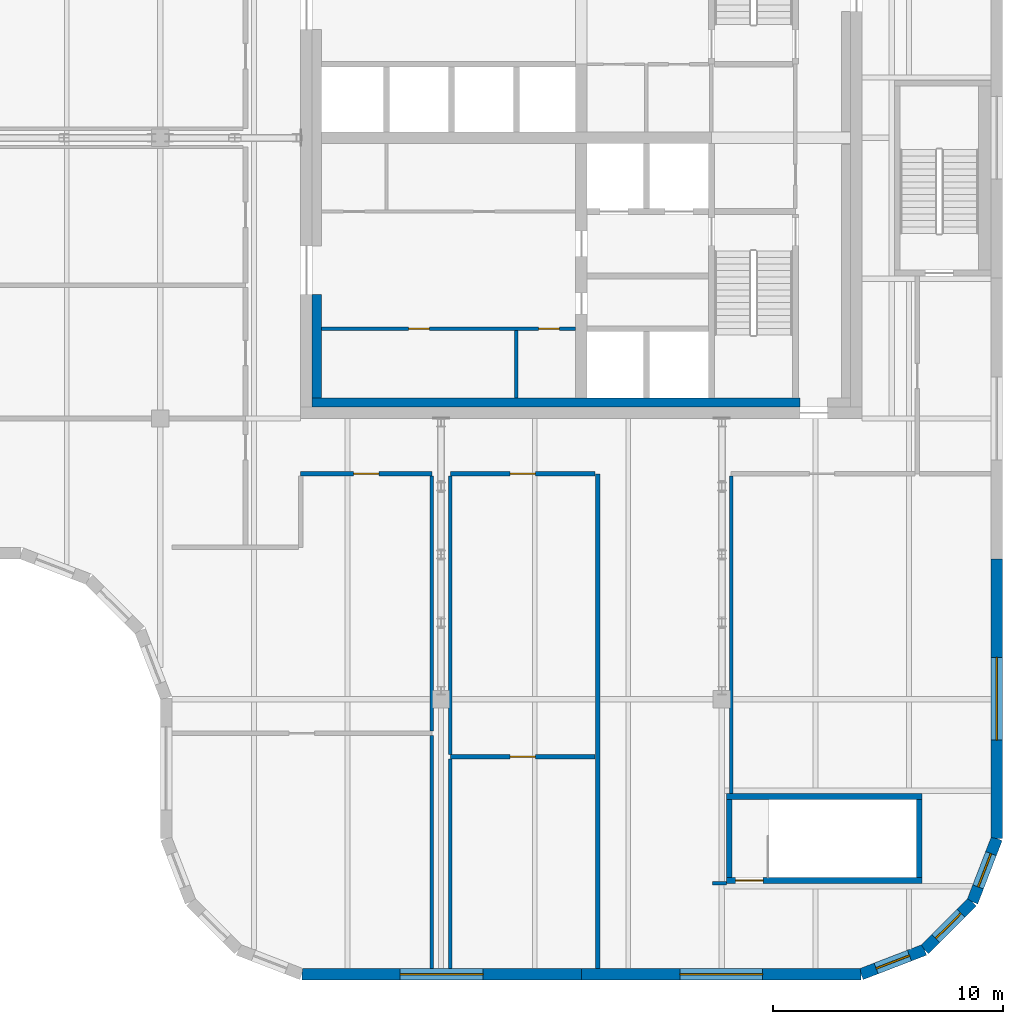
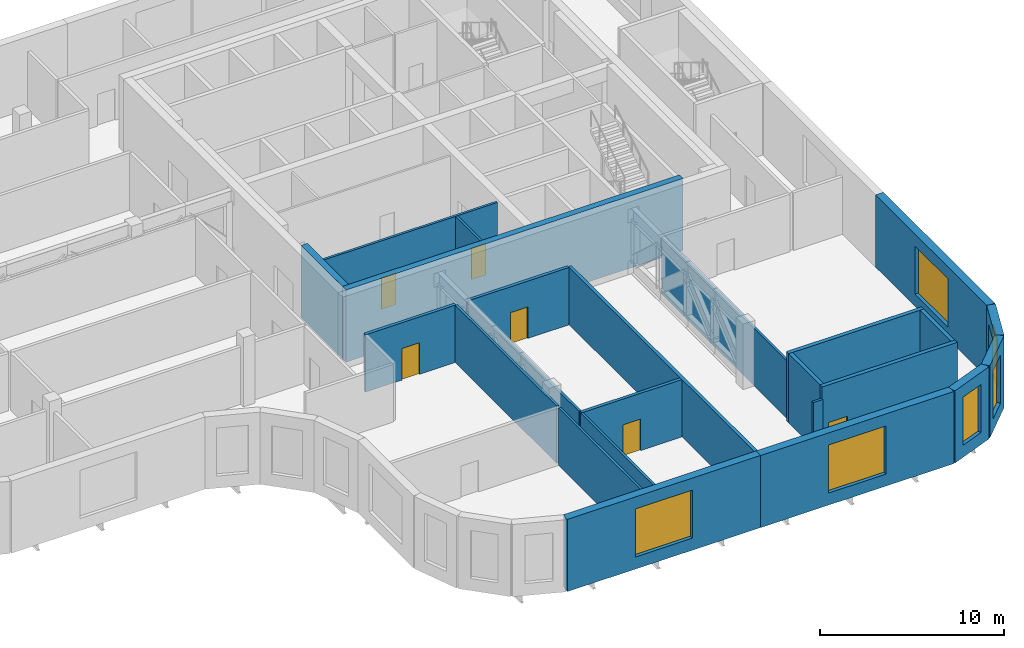
# One storey, part 6 of 12: 24 walls, 6 doors, 6 windows, 12 openings.
"""IFC4 building model written with IfcOpenShell, lengths in metres."""

from ifc_helpers import new_model, si_unit, direction, frame, frame_2d, origin, place, context, subcontext, project, spatial, polyline, rectangle, outline, extrude, faceted_brep, source, transform, mapped, material, layer, layer_set, type_object, element, fill, save


model = new_model("IFC4")

# Units and contexts
model_context = context("Model", 3, precision=1e-05, world=origin(), true_north=direction((0.0, 1.0)))
body_context = subcontext(model_context, "Body", "Model", "MODEL_VIEW")
ifc_project = project(units=[si_unit("LENGTHUNIT", "METRE"), si_unit("AREAUNIT", "SQUARE_METRE"), si_unit("VOLUMEUNIT", "CUBIC_METRE"), si_unit("PLANEANGLEUNIT", "RADIAN"), si_unit("MASSUNIT", "GRAM", prefix="KILO")], contexts=[model_context])

# Site, building, storey
site_placement = place(None, origin())
site = spatial("IfcSite", under=ifc_project, at=site_placement, CompositionType="ELEMENT")
building_placement = place(site_placement, origin())
building = spatial("IfcBuilding", under=site, at=building_placement, Name="Tessera Gate Towers", CompositionType="ELEMENT")
storey_placement = place(building_placement, frame((0.0, 0.0, 232.10009765625)))
storey = spatial("IfcBuildingStorey", under=building, at=storey_placement, Name="L58", CompositionType="ELEMENT", Elevation=232.10009765625)

# Walls
ifc_material_1 = material(Name="Gypsum board on steel studs, mineral wool", Category="steel")
ifc_layer_1 = layer(ifc_material_1, 0.14990234375)
ifc_layer_set_1 = layer_set([ifc_layer_1], Name="CHASE WALL 150")
wall_type_1 = type_object("IfcWallType", Name="CHASE WALL 150", PredefinedType="PARTITIONING", material=ifc_layer_set_1)
wall_1_placement = place(storey_placement, frame((36.199951171875, 0.5, 0.0), z_axis=(0.0, 0.0, 1.0), x_axis=(0.0, 1.0, 0.0)))
element("IfcWall", 1, at=wall_1_placement, inside=storey, type_object=wall_type_1, Name="T1-L58-PW-001", PredefinedType="PARTITIONING", context=body_context, shape_type="SweptSolid", body=[
    extrude(rectangle(XDim=10.1240234375, YDim=0.14990234375, at=frame_2d((5.06201171875, 0.0))), origin(), (0.0, 0.0, 1.0), 3.81689453125),
])
wall_2_placement = place(storey_placement, frame((37.0, 0.5, 0.0), z_axis=(0.0, 0.0, 1.0), x_axis=(0.0, 1.0, 0.0)))
element("IfcWall", 2, at=wall_2_placement, inside=storey, type_object=wall_type_1, Name="T1-L58-PW-002", PredefinedType="PARTITIONING", context=body_context, shape_type="SweptSolid", body=[
    extrude(rectangle(XDim=9.09912109375, YDim=0.14990234375, at=frame_2d((4.549560546875, 0.0))), origin(), (0.0, 0.0, 1.0), 3.81689453125),
])
wall_3_placement = place(storey_placement, frame((48.39990234375, 4.199951171875, 0.0), z_axis=(0.0, 0.0, 1.0), x_axis=(1.0, 0.0, 0.0)))
element("IfcWall", 3, at=wall_3_placement, inside=storey, type_object=wall_type_1, Name="T1-L58-PW-004", PredefinedType="PARTITIONING", context=body_context, shape_type="SweptSolid", body=[
    extrude(rectangle(XDim=0.60009765625, YDim=0.14990234375, at=frame_2d((0.300048828125, 0.0))), origin(), (0.0, 0.0, 1.0), 3.81689453125),
])
wall_4_placement = place(storey_placement, frame((49.199951171875, 8.10009765625, 0.0), z_axis=(0.0, 0.0, 1.0), x_axis=(0.0, 1.0, 0.0)))
element("IfcWall", 4, at=wall_4_placement, inside=storey, type_object=wall_type_1, Name="T1-L58-PW-005", PredefinedType="PARTITIONING", context=body_context, shape_type="SweptSolid", body=[
    extrude(rectangle(XDim=13.798828125, YDim=0.14990234375, at=frame_2d((6.8994140625, 0.0))), origin(), (0.0, 0.0, 1.0), 3.81689453125),
])
wall_5_placement = place(storey_placement, frame((37.0, 9.801025390625, 0.0), z_axis=(0.0, 0.0, 1.0), x_axis=(0.0, 1.0, 0.0)))
element("IfcWall", 5, at=wall_5_placement, inside=storey, type_object=wall_type_1, Name="T1-L58-PW-007", PredefinedType="PARTITIONING", context=body_context, shape_type="SweptSolid", body=[
    extrude(rectangle(XDim=12.097900390625, YDim=0.14990234375, at=frame_2d((6.048828125, 0.0))), origin(), (0.0, 0.0, 1.0), 3.81689453125),
])
wall_6_placement = place(storey_placement, frame((36.199951171875, 10.825927734375, 0.0), z_axis=(0.0, 0.0, 1.0), x_axis=(0.0, 1.0, 0.0)))
element("IfcWall", 6, at=wall_6_placement, inside=storey, type_object=wall_type_1, Name="T1-L58-PW-009", PredefinedType="PARTITIONING", context=body_context, shape_type="SweptSolid", body=[
    extrude(rectangle(XDim=11.072998046875, YDim=0.14990234375, at=frame_2d((5.53662109375, 0.0))), origin(), (0.0, 0.0, 1.0), 3.81689453125),
])

# Wall, opening, door
ifc_material_2 = material(Name="Concrete C40/50", Category="concrete")
ifc_layer_2 = layer(ifc_material_2, 0.25)
ifc_layer_set_2 = layer_set([ifc_layer_2], Name="CORE ENCLOSURE WALL 250")
wall_type_2 = type_object("IfcWallType", Name="CORE ENCLOSURE WALL 250", PredefinedType="SOLIDWALL", material=ifc_layer_set_2)
wall_7_placement = place(storey_placement, frame((57.5, 4.324951171875, 0.0), z_axis=(0.0, 0.0, 1.0), x_axis=(-1.0, 0.0, 0.0)))
wall_7 = element("IfcWall", 7, at=wall_7_placement, inside=storey, type_object=wall_type_2, Name="L58 ST4 enclosure wall", PredefinedType="SOLIDWALL", context=body_context, shape_type="SweptSolid", body=[
    extrude(rectangle(XDim=8.5, YDim=0.25, at=frame_2d((4.25, 0.0))), origin(), (0.0, 0.0, 1.0), 4.599853515625),
])
shared_shape_1 = source(origin(), body_context, "Body", "SweptSolid", [
    extrude(rectangle(XDim=1.199951171875, YDim=2.10009765625, at=frame_2d((0.60009765625, 1.050048828125))), frame((0.0, 0.135009765625, 0.0), z_axis=(0.0, -1.0, 0.0), x_axis=(1.0, 0.0, 0.0)), (0.0, 0.0, 1.0), 0.27001953125),
])
opening_1_placement = place(wall_7_placement, frame((6.89990234375, 0.0, 0.0)))
opening_1 = element("IfcOpeningElement", 8, at=opening_1_placement, cuts=wall_7, Name="Opening SD-ST4-1", PredefinedType="OPENING", context=body_context, shape_type="MappedRepresentation", body=[
    mapped(shared_shape_1, transform((0.0, 0.0, 0.0), scale=1.0)),
])
ifc_material_3 = material(Name="Hollow steel fire door", Category="steel")
door_type_1 = type_object("IfcDoorType", Name="CORE DOOR SD 1200x2100", OperationType="NOTDEFINED", PredefinedType="DOOR", material=ifc_material_3)
shared_shape_2 = source(origin(), body_context, "Body", "SweptSolid", [
    extrude(rectangle(XDim=1.199951171875, YDim=2.10009765625, at=frame_2d((0.60009765625, 1.050048828125))), frame((0.0, 0.02490234375, 0.0), z_axis=(0.0, -1.0, 0.0), x_axis=(1.0, 0.0, 0.0)), (0.0, 0.0, 1.0), 0.050048828125),
])
door_1_placement = place(opening_1_placement, origin())
door_1 = element("IfcDoor", 9, at=door_1_placement, inside=storey, type_object=door_type_1, Name="Stair door", OperationType="SINGLE_SWING_RIGHT", OverallHeight=2.10009765625, OverallWidth=1.199951171875, PredefinedType="DOOR", context=body_context, shape_type="MappedRepresentation", body=[
    mapped(shared_shape_2, transform((0.0, 0.0, 0.0), scale=1.0)),
])
fill(opening_1, door_1)

# Walls
wall_8_placement = place(storey_placement, frame((49.125, 4.449951171875, 0.0), z_axis=(0.0, 0.0, 1.0), x_axis=(0.0, 1.0, 0.0)))
element("IfcWall", 10, at=wall_8_placement, inside=storey, type_object=wall_type_2, Name="L58 ST4 enclosure wall", PredefinedType="SOLIDWALL", context=body_context, shape_type="SweptSolid", body=[
    extrude(rectangle(XDim=3.400146484375, YDim=0.25, at=frame_2d((1.7001953125, 0.0))), origin(), (0.0, 0.0, 1.0), 4.599853515625),
])
wall_9_placement = place(storey_placement, frame((49.0, 7.97509765625, 0.0), z_axis=(0.0, 0.0, 1.0), x_axis=(1.0, 0.0, 0.0)))
element("IfcWall", 11, at=wall_9_placement, inside=storey, type_object=wall_type_2, Name="L58 ST4 enclosure wall", PredefinedType="SOLIDWALL", context=body_context, shape_type="SweptSolid", body=[
    extrude(rectangle(XDim=8.5, YDim=0.25, at=frame_2d((4.25, 0.0))), origin(), (0.0, 0.0, 1.0), 4.599853515625),
])
wall_10_placement = place(storey_placement, frame((57.375, 7.85009765625, 0.0), z_axis=(0.0, 0.0, 1.0), x_axis=(0.0, -1.0, 0.0)))
element("IfcWall", 12, at=wall_10_placement, inside=storey, type_object=wall_type_2, Name="L58 ST4 enclosure wall", PredefinedType="SOLIDWALL", context=body_context, shape_type="SweptSolid", body=[
    extrude(rectangle(XDim=3.400146484375, YDim=0.25, at=frame_2d((1.7001953125, 0.0))), origin(), (0.0, 0.0, 1.0), 4.599853515625),
])
ifc_material_4 = material(Name="Concrete C50/60", Category="concrete")
ifc_layer_3 = layer(ifc_material_4, 0.39990234375)
ifc_layer_set_3 = layer_set([ifc_layer_3], Name="CORE WALL THICKENING 400")
wall_type_3 = type_object("IfcWallType", Name="CORE WALL THICKENING 400", PredefinedType="SOLIDWALL", material=ifc_layer_set_3)
wall_11_placement = place(storey_placement, frame((31.0, 25.10009765625, 0.0), z_axis=(0.0, 0.0, 1.0), x_axis=(1.0, 0.0, 0.0)))
element("IfcWall", 13, at=wall_11_placement, inside=storey, type_object=wall_type_3, Name="Core wall thickening S L58", PredefinedType="SOLIDWALL", context=body_context, shape_type="SweptSolid", body=[
    extrude(rectangle(XDim=21.199951171875, YDim=0.39990234375, at=frame_2d((10.60009765625, 0.0))), origin(), (0.0, 0.0, 1.0), 4.7998046875),
])
wall_12_placement = place(storey_placement, frame((31.199951171875, 25.300048828125, 0.0), z_axis=(0.0, 0.0, 1.0), x_axis=(0.0, 1.0, 0.0)))
element("IfcWall", 14, at=wall_12_placement, inside=storey, type_object=wall_type_3, Name="Core wall thickening W L58", PredefinedType="SOLIDWALL", context=body_context, shape_type="SweptSolid", body=[
    extrude(rectangle(XDim=4.5, YDim=0.39990234375, at=frame_2d((2.25, 0.0))), origin(), (0.0, 0.0, 1.0), 4.7998046875),
])
ifc_material_5 = material(Name="Concrete masonry unit", Category="masonry")
ifc_layer_4 = layer(ifc_material_5, 0.199951171875)
ifc_layer_set_4 = layer_set([ifc_layer_4], Name="PLANT WALL 200")
wall_type_4 = type_object("IfcWallType", Name="PLANT WALL 200", PredefinedType="PARTITIONING", material=ifc_layer_set_4)
wall_13_placement = place(storey_placement, frame((43.39990234375, 0.5, 0.0), z_axis=(0.0, 0.0, 1.0), x_axis=(0.0, 1.0, 0.0)))
element("IfcWall", 15, at=wall_13_placement, inside=storey, type_object=wall_type_4, Name="T1-L58-PW-003", PredefinedType="PARTITIONING", context=body_context, shape_type="SweptSolid", body=[
    extrude(rectangle(XDim=21.5, YDim=0.199951171875, at=frame_2d((10.75, 0.0))), origin(), (0.0, 0.0, 1.0), 3.81689453125),
])

# Wall, opening, door
wall_14_placement = place(storey_placement, frame((43.299072265625, 9.699951171875, 0.0), z_axis=(0.0, 0.0, 1.0), x_axis=(-1.0, 0.0, 0.0)))
wall_14 = element("IfcWall", 16, at=wall_14_placement, inside=storey, type_object=wall_type_4, Name="T1-L58-PW-006", PredefinedType="PARTITIONING", context=body_context, shape_type="SweptSolid", body=[
    extrude(rectangle(XDim=6.299072265625, YDim=0.199951171875, at=frame_2d((3.1494140625, 0.0))), origin(), (0.0, 0.0, 1.0), 3.81689453125),
])
shared_shape_3 = source(origin(), body_context, "Body", "SweptSolid", [
    extrude(rectangle(XDim=1.10009765625, YDim=2.10009765625, at=frame_2d((0.550048828125, 1.050048828125))), frame((0.0, 0.10986328125, 0.0), z_axis=(0.0, -1.0, 0.0), x_axis=(1.0, 0.0, 0.0)), (0.0, 0.0, 1.0), 0.219970703125),
])
opening_2_placement = place(wall_14_placement, frame((2.59912109375, 0.0, 0.0)))
opening_2 = element("IfcOpeningElement", 17, at=opening_2_placement, cuts=wall_14, Name="Opening D5110FD90-A32-14", PredefinedType="OPENING", context=body_context, shape_type="MappedRepresentation", body=[
    mapped(shared_shape_3, transform((0.0, 0.0, 0.0), scale=1.0)),
])
ifc_material_6 = material(Name="Timber door leaf in steel frame", Category="steel")
door_type_2 = type_object("IfcDoorType", Name="PLANT DOOR 1100 FD90", OperationType="NOTDEFINED", PredefinedType="DOOR", material=ifc_material_6)
shared_shape_4 = source(origin(), body_context, "Body", "SweptSolid", [
    extrude(rectangle(XDim=1.10009765625, YDim=2.10009765625, at=frame_2d((0.550048828125, 1.050048828125))), frame((0.0, 0.02490234375, 0.0), z_axis=(0.0, -1.0, 0.0), x_axis=(1.0, 0.0, 0.0)), (0.0, 0.0, 1.0), 0.050048828125),
])
door_2_placement = place(opening_2_placement, origin())
door_2 = element("IfcDoor", 18, at=door_2_placement, inside=storey, type_object=door_type_2, Name="T1-L58-PD-014", OperationType="SINGLE_SWING_RIGHT", OverallHeight=2.10009765625, OverallWidth=1.10009765625, PredefinedType="DOOR", context=body_context, shape_type="MappedRepresentation", body=[
    mapped(shared_shape_4, transform((0.0, 0.0, 0.0), scale=1.0)),
])
fill(opening_2, door_2)

wall_15_placement = place(storey_placement, frame((36.199951171875, 22.0, 0.0), z_axis=(0.0, 0.0, 1.0), x_axis=(-1.0, 0.0, 0.0)))
wall_15 = element("IfcWall", 19, at=wall_15_placement, inside=storey, type_object=wall_type_4, Name="T1-L58-PW-014", PredefinedType="PARTITIONING", context=body_context, shape_type="SweptSolid", body=[
    extrude(rectangle(XDim=5.699951171875, YDim=0.199951171875, at=frame_2d((2.85009765625, 0.0))), origin(), (0.0, 0.0, 1.0), 3.81689453125),
])
opening_3_placement = place(wall_15_placement, frame((2.300048828125, 0.0, 0.0)))
opening_3 = element("IfcOpeningElement", 20, at=opening_3_placement, cuts=wall_15, Name="Opening D5110FD90-A32-06", PredefinedType="OPENING", context=body_context, shape_type="MappedRepresentation", body=[
    mapped(shared_shape_3, transform((0.0, 0.0, 0.0), scale=1.0)),
])
door_3_placement = place(opening_3_placement, origin())
door_3 = element("IfcDoor", 21, at=door_3_placement, inside=storey, type_object=door_type_2, Name="T1-L58-PD-006", OperationType="SINGLE_SWING_RIGHT", OverallHeight=2.10009765625, OverallWidth=1.10009765625, PredefinedType="DOOR", context=body_context, shape_type="MappedRepresentation", body=[
    mapped(shared_shape_4, transform((0.0, 0.0, 0.0), scale=1.0)),
])
fill(opening_3, door_3)

wall_16_placement = place(storey_placement, frame((43.299072265625, 22.0, 0.0), z_axis=(0.0, 0.0, 1.0), x_axis=(-1.0, 0.0, 0.0)))
wall_16 = element("IfcWall", 22, at=wall_16_placement, inside=storey, type_object=wall_type_4, Name="T1-L58-PW-015", PredefinedType="PARTITIONING", context=body_context, shape_type="SweptSolid", body=[
    extrude(rectangle(XDim=6.299072265625, YDim=0.199951171875, at=frame_2d((3.1494140625, 0.0))), origin(), (0.0, 0.0, 1.0), 3.81689453125),
])
opening_4_placement = place(wall_16_placement, frame((2.59912109375, 0.0, 0.0)))
opening_4 = element("IfcOpeningElement", 23, at=opening_4_placement, cuts=wall_16, Name="Opening D5110FD90-A32-13", PredefinedType="OPENING", context=body_context, shape_type="MappedRepresentation", body=[
    mapped(shared_shape_3, transform((0.0, 0.0, 0.0), scale=1.0)),
])
door_4_placement = place(opening_4_placement, origin())
door_4 = element("IfcDoor", 24, at=door_4_placement, inside=storey, type_object=door_type_2, Name="T1-L58-PD-013", OperationType="SINGLE_SWING_RIGHT", OverallHeight=2.10009765625, OverallWidth=1.10009765625, PredefinedType="DOOR", context=body_context, shape_type="MappedRepresentation", body=[
    mapped(shared_shape_4, transform((0.0, 0.0, 0.0), scale=1.0)),
])
fill(opening_4, door_4)

# Wall, openings, doors
ifc_material_7 = material(Name="Gypsum board on steel studs", Category="steel")
ifc_layer_5 = layer(ifc_material_7, 0.14990234375)
ifc_layer_set_5 = layer_set([ifc_layer_5], Name="SERVICE ROOM WALL 150")
wall_type_5 = type_object("IfcWallType", Name="SERVICE ROOM WALL 150", PredefinedType="PARTITIONING", material=ifc_layer_set_5)
wall_17_placement = place(storey_placement, frame((42.449951171875, 28.300048828125, 0.0), z_axis=(0.0, 0.0, 1.0), x_axis=(-1.0, 0.0, 0.0)))
wall_17 = element("IfcWall", 25, at=wall_17_placement, inside=storey, type_object=wall_type_5, Name="L58 service room wall", PredefinedType="PARTITIONING", context=body_context, shape_type="SweptSolid", body=[
    extrude(rectangle(XDim=11.050048828125, YDim=0.14990234375, at=frame_2d((5.52490234375, 0.0))), origin(), (0.0, 0.0, 1.0), 4.599853515625),
])
shared_shape_5 = source(origin(), body_context, "Body", "SweptSolid", [
    extrude(rectangle(XDim=0.89990234375, YDim=2.10009765625, at=frame_2d((0.449951171875, 1.050048828125))), frame((0.0, 0.0849609375, 0.0), z_axis=(0.0, -1.0, 0.0), x_axis=(1.0, 0.0, 0.0)), (0.0, 0.0, 1.0), 0.169921875),
])
opening_5_placement = place(wall_17_placement, frame((6.362548828125, 0.0, 0.0)))
opening_5 = element("IfcOpeningElement", 26, at=opening_5_placement, cuts=wall_17, Name="Opening RD-T1-35-07", PredefinedType="OPENING", context=body_context, shape_type="MappedRepresentation", body=[
    mapped(shared_shape_5, transform((0.0, 0.0, 0.0), scale=1.0)),
])
opening_6_placement = place(wall_17_placement, frame((0.71240234375, 0.0, 0.0)))
opening_6 = element("IfcOpeningElement", 27, at=opening_6_placement, cuts=wall_17, Name="Opening RD-T1-35-08", PredefinedType="OPENING", context=body_context, shape_type="MappedRepresentation", body=[
    mapped(shared_shape_5, transform((0.0, 0.0, 0.0), scale=1.0)),
])
ifc_material_8 = material(Name="Hollow steel fire door", Category="steel")
door_type_3 = type_object("IfcDoorType", Name="CORE DOOR RD 900x2100", OperationType="NOTDEFINED", PredefinedType="DOOR", material=ifc_material_8)
shared_shape_6 = source(origin(), body_context, "Body", "SweptSolid", [
    extrude(rectangle(XDim=0.89990234375, YDim=2.10009765625, at=frame_2d((0.449951171875, 1.050048828125))), frame((0.0, 0.02490234375, 0.0), z_axis=(0.0, -1.0, 0.0), x_axis=(1.0, 0.0, 0.0)), (0.0, 0.0, 1.0), 0.050048828125),
])
door_5_placement = place(opening_5_placement, origin())
door_5 = element("IfcDoor", 28, at=door_5_placement, inside=storey, type_object=door_type_3, Name="Core room door", OperationType="SINGLE_SWING_RIGHT", OverallHeight=2.10009765625, OverallWidth=0.89990234375, PredefinedType="DOOR", context=body_context, shape_type="MappedRepresentation", body=[
    mapped(shared_shape_6, transform((0.0, 0.0, 0.0), scale=1.0)),
])
fill(opening_5, door_5)
door_6_placement = place(opening_6_placement, origin())
door_6 = element("IfcDoor", 29, at=door_6_placement, inside=storey, type_object=door_type_3, Name="Core room door", OperationType="SINGLE_SWING_LEFT", OverallHeight=2.10009765625, OverallWidth=0.89990234375, PredefinedType="DOOR", context=body_context, shape_type="MappedRepresentation", body=[
    mapped(shared_shape_6, transform((0.0, 0.0, 0.0), scale=1.0)),
])
fill(opening_6, door_6)

# Wall
wall_18_placement = place(storey_placement, frame((39.875, 25.300048828125, 0.0), z_axis=(0.0, 0.0, 1.0), x_axis=(0.0, 1.0, 0.0)))
element("IfcWall", 30, at=wall_18_placement, inside=storey, type_object=wall_type_5, Name="L58 service room wall", PredefinedType="PARTITIONING", context=body_context, shape_type="SweptSolid", body=[
    extrude(rectangle(XDim=2.925048828125, YDim=0.14990234375, at=frame_2d((1.46240234375, 0.0))), origin(), (0.0, 0.0, 1.0), 4.599853515625),
])

# Wall, opening, window
ifc_material_9 = material(Name="Precast concrete C60/75 white", Category="concrete")
ifc_layer_6 = layer(ifc_material_9, 0.5)
ifc_layer_set_6 = layer_set([ifc_layer_6], Name="RB1 ring band panel")
wall_type_6 = type_object("IfcWallType", Name="RB1 ring band panel", PredefinedType="SOLIDWALL", material=ifc_layer_set_6)
shared_shape_7 = source(origin(), body_context, "Body", "Brep", [
    faceted_brep([(0.0, -0.25, 0.0), (12.153564453125, -0.25, 0.0), (12.153564453125, -0.25, 4.7998046875), (0.0, -0.25, 4.7998046875), (0.046630859375, 0.25, 4.7998046875), (12.153564453125, 0.25, 4.7998046875), (12.153564453125, 0.25, 0.0), (0.046630859375, 0.25, 0.0), (0.0, 0.0, 0.0), (0.0, 0.0, 4.7998046875)], [[[0, 1, 2, 3]], [[4, 5, 6, 7]], [[7, 6, 1, 0, 8]], [[5, 4, 9, 3, 2]], [[8, 0, 3, 9]], [[7, 8, 9, 4]], [[1, 6, 5, 2]]]),
])
wall_19_placement = place(storey_placement, frame((30.546630859375, 0.25, 0.0), z_axis=(0.0, 0.0, 1.0), x_axis=(1.0, 0.0, 0.0)))
wall_19 = element("IfcWall", 31, at=wall_19_placement, inside=storey, type_object=wall_type_6, Name="Ring band panel T1 RB1-0065", PredefinedType="SOLIDWALL", context=body_context, shape_type="MappedRepresentation", body=[
    mapped(shared_shape_7, transform((0.0, 0.0, 0.0), scale=1.0)),
])
shared_shape_8 = source(origin(), body_context, "Body", "SweptSolid", [
    extrude(outline(polyline([(4.276611328125, 0.7998046875), (7.876708984375, 0.7998046875), (7.876708984375, 4.0), (4.276611328125, 4.0), (4.276611328125, 0.7998046875)])), frame((0.0, 0.260009765625, 0.0), z_axis=(0.0, -1.0, 0.0), x_axis=(1.0, 0.0, 0.0)), (0.0, 0.0, 1.0), 0.52001953125),
])
opening_7_placement = place(wall_19_placement, origin())
opening_7 = element("IfcOpeningElement", 32, at=opening_7_placement, cuts=wall_19, Name="Opening T1-WN-LV1-0065", PredefinedType="OPENING", context=body_context, shape_type="MappedRepresentation", body=[
    mapped(shared_shape_8, transform((0.0, 0.0, 0.0), scale=1.0)),
])
ifc_material_10 = material(Name="Aluminium louvre", Category="aluminium")
ifc_layer_7 = layer(ifc_material_10, 0.06005859375)
ifc_layer_set_7 = layer_set([ifc_layer_7], Name="LV1 louvre")
window_type = type_object("IfcWindowType", Name="LV1 louvre", PartitioningType="USERDEFINED", PredefinedType="WINDOW", material=ifc_layer_set_7)
shared_shape_9 = source(origin(), body_context, "Body", "SweptSolid", [
    extrude(outline(polyline([(4.276611328125, 0.7998046875), (7.876708984375, 0.7998046875), (7.876708984375, 4.0), (4.276611328125, 4.0), (4.276611328125, 0.7998046875)])), frame((0.0, 0.030029296875, 0.0), z_axis=(0.0, -1.0, 0.0), x_axis=(1.0, 0.0, 0.0)), (0.0, 0.0, 1.0), 0.06005859375),
])
window_1_placement = place(opening_7_placement, origin())
window_1 = element("IfcWindow", 33, at=window_1_placement, inside=storey, type_object=window_type, Name="Louvre T1 WN-LV1-0065", OverallHeight=3.2001953125, OverallWidth=3.60009765625, PartitioningType="USERDEFINED", PredefinedType="WINDOW", context=body_context, shape_type="MappedRepresentation", body=[
    mapped(shared_shape_9, transform((0.0, 0.0, 0.0), scale=1.0)),
])
fill(opening_7, window_1)

wall_20_placement = place(storey_placement, frame((60.75, 6.146484375, 0.0), z_axis=(0.0, 0.0, 1.0), x_axis=(0.0, 1.0, 0.0)))
wall_20 = element("IfcWall", 34, at=wall_20_placement, inside=storey, type_object=wall_type_6, Name="Ring band panel T1 RB1-0070", PredefinedType="SOLIDWALL", context=body_context, shape_type="MappedRepresentation", body=[
    mapped(shared_shape_7, transform((0.0, 0.0, 0.0), scale=1.0)),
])
opening_8_placement = place(wall_20_placement, origin())
opening_8 = element("IfcOpeningElement", 35, at=opening_8_placement, cuts=wall_20, Name="Opening T1-WN-LV1-0070", PredefinedType="OPENING", context=body_context, shape_type="MappedRepresentation", body=[
    mapped(shared_shape_8, transform((0.0, 0.0, 0.0), scale=1.0)),
])
window_2_placement = place(opening_8_placement, origin())
window_2 = element("IfcWindow", 36, at=window_2_placement, inside=storey, type_object=window_type, Name="Louvre T1 WN-LV1-0070", OverallHeight=3.2001953125, OverallWidth=3.60009765625, PartitioningType="USERDEFINED", PredefinedType="WINDOW", context=body_context, shape_type="MappedRepresentation", body=[
    mapped(shared_shape_9, transform((0.0, 0.0, 0.0), scale=1.0)),
])
fill(opening_8, window_2)

shared_shape_10 = source(origin(), body_context, "Body", "Brep", [
    faceted_brep([(0.0, -0.25, 0.0), (12.153564453125, -0.25, 0.0), (12.153564453125, -0.25, 4.7998046875), (0.0, -0.25, 4.7998046875), (0.0, 0.25, 4.7998046875), (12.10693359375, 0.25, 4.7998046875), (12.10693359375, 0.25, 0.0), (0.0, 0.25, 0.0), (12.153564453125, -0.00048828125, 0.0), (12.153564453125, -0.00048828125, 4.7998046875)], [[[0, 1, 2, 3]], [[4, 5, 6, 7]], [[7, 6, 8, 1, 0]], [[9, 2, 1, 8]], [[5, 4, 3, 2, 9]], [[4, 7, 0, 3]], [[8, 6, 5, 9]]]),
])
wall_21_placement = place(storey_placement, frame((42.699951171875, 0.25, 0.0), z_axis=(0.0, 0.0, 1.0), x_axis=(1.0, 0.0, 0.0)))
wall_21 = element("IfcWall", 37, at=wall_21_placement, inside=storey, type_object=wall_type_6, Name="Ring band panel T1 RB1-0066", PredefinedType="SOLIDWALL", context=body_context, shape_type="MappedRepresentation", body=[
    mapped(shared_shape_10, transform((0.0, 0.0, 0.0), scale=1.0)),
])
opening_9_placement = place(wall_21_placement, origin())
opening_9 = element("IfcOpeningElement", 38, at=opening_9_placement, cuts=wall_21, Name="Opening T1-WN-LV1-0066", PredefinedType="OPENING", context=body_context, shape_type="MappedRepresentation", body=[
    mapped(shared_shape_8, transform((0.0, 0.0, 0.0), scale=1.0)),
])
window_3_placement = place(opening_9_placement, origin())
window_3 = element("IfcWindow", 39, at=window_3_placement, inside=storey, type_object=window_type, Name="Louvre T1 WN-LV1-0066", OverallHeight=3.2001953125, OverallWidth=3.60009765625, PartitioningType="USERDEFINED", PredefinedType="WINDOW", context=body_context, shape_type="MappedRepresentation", body=[
    mapped(shared_shape_9, transform((0.0, 0.0, 0.0), scale=1.0)),
])
fill(opening_9, window_3)

shared_shape_11 = source(origin(), body_context, "Body", "Brep", [
    faceted_brep([(0.0, -0.25, 0.0), (2.950439453125, -0.25, 0.0), (2.950439453125, -0.25, 4.7998046875), (0.0, -0.25, 4.7998046875), (0.046630859375, 0.25, 4.7998046875), (2.897705078125, 0.25, 4.7998046875), (2.897705078125, 0.25, 0.0), (0.046630859375, 0.25, 0.0), (2.950439453125, 0.00048828125, 0.0), (0.0, 0.0, 0.0), (2.950439453125, 0.00048828125, 4.7998046875), (0.0, 0.0, 4.7998046875)], [[[0, 1, 2, 3]], [[4, 5, 6, 7]], [[7, 6, 8, 1, 0, 9]], [[10, 2, 1, 8]], [[5, 4, 11, 3, 2, 10]], [[9, 0, 3, 11]], [[7, 9, 11, 4]], [[8, 6, 5, 10]]]),
])
wall_22_placement = place(storey_placement, frame((54.853515625, 0.25, 0.0), z_axis=(0.0, 0.0, 1.0), x_axis=(0.932999673775, 0.359877213415, 0.0)))
wall_22 = element("IfcWall", 40, at=wall_22_placement, inside=storey, type_object=wall_type_6, Name="Ring band panel T1 RB1-0067", PredefinedType="SOLIDWALL", context=body_context, shape_type="MappedRepresentation", body=[
    mapped(shared_shape_11, transform((0.0, 0.0, 0.0), scale=1.0)),
])
shared_shape_12 = source(origin(), body_context, "Body", "SweptSolid", [
    extrude(outline(polyline([(0.699951171875, 0.7998046875), (2.25048828125, 0.7998046875), (2.25048828125, 4.0), (0.699951171875, 4.0), (0.699951171875, 0.7998046875)])), frame((0.0, 0.260009765625, 0.0), z_axis=(0.0, -1.0, 0.0), x_axis=(1.0, 0.0, 0.0)), (0.0, 0.0, 1.0), 0.52001953125),
])
opening_10_placement = place(wall_22_placement, origin())
opening_10 = element("IfcOpeningElement", 41, at=opening_10_placement, cuts=wall_22, Name="Opening T1-WN-LV1-0067", PredefinedType="OPENING", context=body_context, shape_type="MappedRepresentation", body=[
    mapped(shared_shape_12, transform((0.0, 0.0, 0.0), scale=1.0)),
])
shared_shape_13 = source(origin(), body_context, "Body", "SweptSolid", [
    extrude(outline(polyline([(0.699951171875, 0.7998046875), (2.25048828125, 0.7998046875), (2.25048828125, 4.0), (0.699951171875, 4.0), (0.699951171875, 0.7998046875)])), frame((0.0, 0.030029296875, 0.0), z_axis=(0.0, -1.0, 0.0), x_axis=(1.0, 0.0, 0.0)), (0.0, 0.0, 1.0), 0.06005859375),
])
window_4_placement = place(opening_10_placement, origin())
window_4 = element("IfcWindow", 42, at=window_4_placement, inside=storey, type_object=window_type, Name="Louvre T1 WN-LV1-0067", OverallHeight=3.2001953125, OverallWidth=1.550537109375, PartitioningType="USERDEFINED", PredefinedType="WINDOW", context=body_context, shape_type="MappedRepresentation", body=[
    mapped(shared_shape_13, transform((0.0, 0.0, 0.0), scale=1.0)),
])
fill(opening_10, window_4)

shared_shape_14 = source(origin(), body_context, "Body", "Brep", [
    faceted_brep([(0.0, -0.25, 0.0), (2.944091796875, -0.25, 0.0), (2.944091796875, -0.25, 4.7998046875), (0.0, -0.25, 4.7998046875), (0.052978515625, 0.25, 4.7998046875), (2.89111328125, 0.25, 4.7998046875), (2.89111328125, 0.25, 0.0), (0.052978515625, 0.25, 0.0), (2.944091796875, 0.000244140625, 0.0), (0.0, 0.0, 0.0), (2.944091796875, 0.000244140625, 4.7998046875), (0.0, 0.0, 4.7998046875)], [[[0, 1, 2, 3]], [[4, 5, 6, 7]], [[7, 6, 8, 1, 0, 9]], [[10, 2, 1, 8]], [[5, 4, 11, 3, 2, 10]], [[9, 0, 3, 11]], [[7, 9, 11, 4]], [[8, 6, 5, 10]]]),
])
wall_23_placement = place(storey_placement, frame((57.606201171875, 1.31201171875, 0.0), z_axis=(0.0, 0.0, 1.0), x_axis=(0.707106781187, 0.707106781187, 0.0)))
wall_23 = element("IfcWall", 43, at=wall_23_placement, inside=storey, type_object=wall_type_6, Name="Ring band panel T1 RB1-0068", PredefinedType="SOLIDWALL", context=body_context, shape_type="MappedRepresentation", body=[
    mapped(shared_shape_14, transform((0.0, 0.0, 0.0), scale=1.0)),
])
shared_shape_15 = source(origin(), body_context, "Body", "SweptSolid", [
    extrude(outline(polyline([(0.699951171875, 0.7998046875), (2.244140625, 0.7998046875), (2.244140625, 4.0), (0.699951171875, 4.0), (0.699951171875, 0.7998046875)])), frame((0.0, 0.260009765625, 0.0), z_axis=(0.0, -1.0, 0.0), x_axis=(1.0, 0.0, 0.0)), (0.0, 0.0, 1.0), 0.52001953125),
])
opening_11_placement = place(wall_23_placement, origin())
opening_11 = element("IfcOpeningElement", 44, at=opening_11_placement, cuts=wall_23, Name="Opening T1-WN-LV1-0068", PredefinedType="OPENING", context=body_context, shape_type="MappedRepresentation", body=[
    mapped(shared_shape_15, transform((0.0, 0.0, 0.0), scale=1.0)),
])
shared_shape_16 = source(origin(), body_context, "Body", "SweptSolid", [
    extrude(outline(polyline([(0.699951171875, 0.7998046875), (2.244140625, 0.7998046875), (2.244140625, 4.0), (0.699951171875, 4.0), (0.699951171875, 0.7998046875)])), frame((0.0, 0.030029296875, 0.0), z_axis=(0.0, -1.0, 0.0), x_axis=(1.0, 0.0, 0.0)), (0.0, 0.0, 1.0), 0.06005859375),
])
window_5_placement = place(opening_11_placement, origin())
window_5 = element("IfcWindow", 45, at=window_5_placement, inside=storey, type_object=window_type, Name="Louvre T1 WN-LV1-0068", OverallHeight=3.2001953125, OverallWidth=1.544189453125, PartitioningType="USERDEFINED", PredefinedType="WINDOW", context=body_context, shape_type="MappedRepresentation", body=[
    mapped(shared_shape_16, transform((0.0, 0.0, 0.0), scale=1.0)),
])
fill(opening_11, window_5)

shared_shape_17 = source(origin(), body_context, "Body", "Brep", [
    faceted_brep([(0.0, -0.25, 0.0), (2.950439453125, -0.25, 0.0), (2.950439453125, -0.25, 4.7998046875), (0.0, -0.25, 4.7998046875), (0.052978515625, 0.25, 4.7998046875), (2.904052734375, 0.25, 4.7998046875), (2.904052734375, 0.25, 0.0), (0.052978515625, 0.25, 0.0), (2.950439453125, 0.00048828125, 0.0), (0.0, 0.0, 0.0), (2.950439453125, 0.00048828125, 4.7998046875), (0.0, 0.0, 4.7998046875)], [[[0, 1, 2, 3]], [[4, 5, 6, 7]], [[7, 6, 8, 1, 0, 9]], [[10, 2, 1, 8]], [[5, 4, 11, 3, 2, 10]], [[9, 0, 3, 11]], [[7, 9, 11, 4]], [[8, 6, 5, 10]]]),
])
wall_24_placement = place(storey_placement, frame((59.68798828125, 3.393798828125, 0.0), z_axis=(0.0, 0.0, 1.0), x_axis=(0.359949242603, 0.932971887438, 0.0)))
wall_24 = element("IfcWall", 46, at=wall_24_placement, inside=storey, type_object=wall_type_6, Name="Ring band panel T1 RB1-0069", PredefinedType="SOLIDWALL", context=body_context, shape_type="MappedRepresentation", body=[
    mapped(shared_shape_17, transform((0.0, 0.0, 0.0), scale=1.0)),
])
opening_12_placement = place(wall_24_placement, origin())
opening_12 = element("IfcOpeningElement", 47, at=opening_12_placement, cuts=wall_24, Name="Opening T1-WN-LV1-0069", PredefinedType="OPENING", context=body_context, shape_type="MappedRepresentation", body=[
    mapped(shared_shape_12, transform((0.0, 0.0, 0.0), scale=1.0)),
])
window_6_placement = place(opening_12_placement, origin())
window_6 = element("IfcWindow", 48, at=window_6_placement, inside=storey, type_object=window_type, Name="Louvre T1 WN-LV1-0069", OverallHeight=3.2001953125, OverallWidth=1.550537109375, PartitioningType="USERDEFINED", PredefinedType="WINDOW", context=body_context, shape_type="MappedRepresentation", body=[
    mapped(shared_shape_13, transform((0.0, 0.0, 0.0), scale=1.0)),
])
fill(opening_12, window_6)

save(model, "model.ifc")
